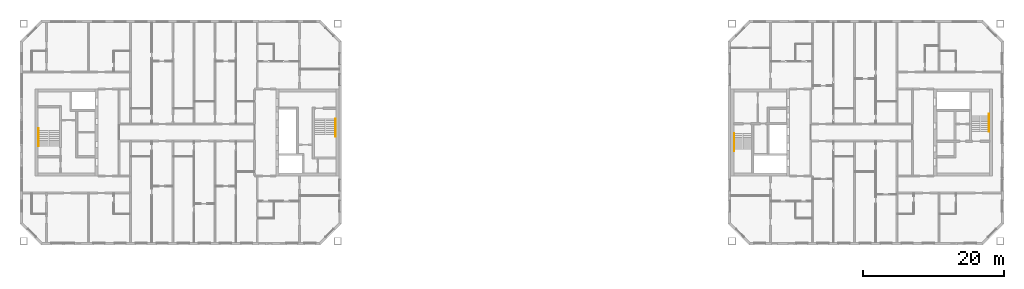
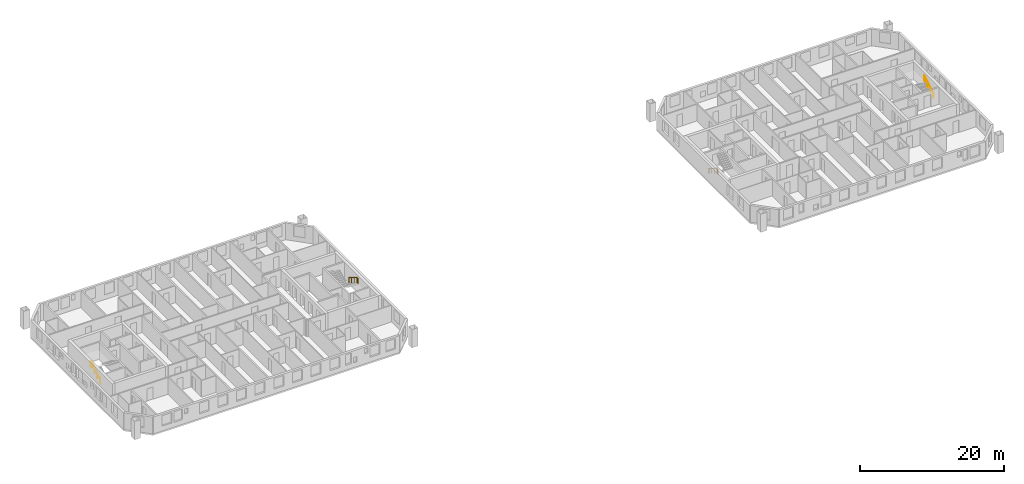
# One storey, part 16 of 16: 4 railings.
"""IFC4 building model written with IfcOpenShell, lengths in metres."""

from ifc_helpers import new_model, si_unit, direction, frame, origin, origin_2d, place, context, subcontext, project, spatial, circle, extrude, material, type_object, element, save


model = new_model("IFC4")

# Units and contexts
model_context = context("Model", 3, precision=1e-05, world=origin(), true_north=direction((0.0, 1.0)))
body_context = subcontext(model_context, "Body", "Model", "MODEL_VIEW")
ifc_project = project(units=[si_unit("LENGTHUNIT", "METRE"), si_unit("AREAUNIT", "SQUARE_METRE"), si_unit("VOLUMEUNIT", "CUBIC_METRE"), si_unit("PLANEANGLEUNIT", "RADIAN"), si_unit("MASSUNIT", "GRAM", prefix="KILO")], contexts=[model_context])

# Site, building, storey
site_placement = place(None, origin())
site = spatial("IfcSite", under=ifc_project, at=site_placement, CompositionType="ELEMENT")
building_placement = place(site_placement, origin())
building = spatial("IfcBuilding", under=site, at=building_placement, Name="Tuart Gate Housing", CompositionType="ELEMENT")
storey_placement = place(building_placement, frame((0.0, 0.0, 178.89990234375)))
storey = spatial("IfcBuildingStorey", under=building, at=storey_placement, Name="L50", CompositionType="ELEMENT", Elevation=178.89990234375)

# Railings
ifc_material = material(Name="Stainless steel", Category="steel")
railing_type = type_object("IfcRailingType", Name="Stair handrail 900", PredefinedType="HANDRAIL", material=ifc_material)
railing_1_placement = place(storey_placement, frame((75.1298828125, 71.949951171875, 0.17236328125)))
element("IfcRailing", 1, at=railing_1_placement, inside=storey, type_object=railing_type, Name="Stair handrail SA1.1", PredefinedType="HANDRAIL", context=body_context, shape_type="SweptSolid", body=[
    extrude(circle(Radius=0.02392578125, at=origin_2d()), frame((0.0, 0.0, 0.8759765625), z_axis=(0.0, -0.85178898068, 0.523885037382), x_axis=(1.0, 0.0, 0.0)), (0.0, 0.0, 1.0), 2.629638671875),
    extrude(circle(Radius=0.02392578125, at=origin_2d()), frame((0.0, -2.239990234375, 2.25341796875), z_axis=(0.0, -1.0, 0.0), x_axis=(1.0, 0.0, 0.0)), (0.0, 0.0, 1.0), 0.300048828125),
    extrude(circle(Radius=0.02099609375, at=origin_2d()), origin(), (0.0, 0.0, 1.0), 0.851806640625),
    extrude(circle(Radius=0.02099609375, at=origin_2d()), frame((0.0, -0.74658203125, 0.459228515625)), (0.0, 0.0, 1.0), 0.851806640625),
    extrude(circle(Radius=0.02099609375, at=origin_2d()), frame((0.0, -1.493408203125, 0.91845703125)), (0.0, 0.0, 1.0), 0.851806640625),
    extrude(circle(Radius=0.02099609375, at=origin_2d()), frame((0.0, -2.239990234375, 1.377685546875)), (0.0, 0.0, 1.0), 0.851806640625),
    extrude(circle(Radius=0.02099609375, at=origin_2d()), frame((0.0, -2.5400390625, 1.377685546875)), (0.0, 0.0, 1.0), 0.851806640625),
])
railing_2_placement = place(storey_placement, frame((32.8701171875, 68.050048828125, 0.17236328125)))
element("IfcRailing", 2, at=railing_2_placement, inside=storey, type_object=railing_type, Name="Stair handrail SA2.1", PredefinedType="HANDRAIL", context=body_context, shape_type="SweptSolid", body=[
    extrude(circle(Radius=0.02392578125, at=origin_2d()), frame((0.0, 0.0, 0.8759765625), z_axis=(0.0, 0.85178898068, 0.523885037382), x_axis=(-1.0, 0.0, 0.0)), (0.0, 0.0, 1.0), 2.629638671875),
    extrude(circle(Radius=0.02392578125, at=origin_2d()), frame((0.0, 2.239990234375, 2.25341796875), z_axis=(0.0, 1.0, 0.0), x_axis=(-1.0, 0.0, 0.0)), (0.0, 0.0, 1.0), 0.300048828125),
    extrude(circle(Radius=0.02099609375, at=origin_2d()), origin(), (0.0, 0.0, 1.0), 0.851806640625),
    extrude(circle(Radius=0.02099609375, at=origin_2d()), frame((0.0, 0.74658203125, 0.459228515625)), (0.0, 0.0, 1.0), 0.851806640625),
    extrude(circle(Radius=0.02099609375, at=origin_2d()), frame((0.0, 1.493408203125, 0.91845703125)), (0.0, 0.0, 1.0), 0.851806640625),
    extrude(circle(Radius=0.02099609375, at=origin_2d()), frame((0.0, 2.239990234375, 1.377685546875)), (0.0, 0.0, 1.0), 0.851806640625),
    extrude(circle(Radius=0.02099609375, at=origin_2d()), frame((0.0, 2.5400390625, 1.377685546875)), (0.0, 0.0, 1.0), 0.851806640625),
])
railing_3_placement = place(storey_placement, frame((131.8701171875, 69.875, 0.17236328125)))
element("IfcRailing", 3, at=railing_3_placement, inside=storey, type_object=railing_type, Name="Stair handrail SB1.1", PredefinedType="HANDRAIL", context=body_context, shape_type="SweptSolid", body=[
    extrude(circle(Radius=0.02392578125, at=origin_2d()), frame((0.0, 0.0, 0.8759765625), z_axis=(0.0, -0.85178898068, 0.523885037382), x_axis=(1.0, 0.0, 0.0)), (0.0, 0.0, 1.0), 2.629638671875),
    extrude(circle(Radius=0.02392578125, at=origin_2d()), frame((0.0, -2.239990234375, 2.25341796875), z_axis=(0.0, -1.0, 0.0), x_axis=(1.0, 0.0, 0.0)), (0.0, 0.0, 1.0), 0.300048828125),
    extrude(circle(Radius=0.02099609375, at=origin_2d()), origin(), (0.0, 0.0, 1.0), 0.851806640625),
    extrude(circle(Radius=0.02099609375, at=origin_2d()), frame((0.0, -0.74658203125, 0.459228515625)), (0.0, 0.0, 1.0), 0.851806640625),
    extrude(circle(Radius=0.02099609375, at=origin_2d()), frame((0.0, -1.493408203125, 0.91845703125)), (0.0, 0.0, 1.0), 0.851806640625),
    extrude(circle(Radius=0.02099609375, at=origin_2d()), frame((0.0, -2.239990234375, 1.377685546875)), (0.0, 0.0, 1.0), 0.851806640625),
    extrude(circle(Radius=0.02099609375, at=origin_2d()), frame((0.0, -2.5400390625, 1.377685546875)), (0.0, 0.0, 1.0), 0.851806640625),
])
railing_4_placement = place(storey_placement, frame((168.1298828125, 70.125, 0.17236328125)))
element("IfcRailing", 4, at=railing_4_placement, inside=storey, type_object=railing_type, Name="Stair handrail SB2.1", PredefinedType="HANDRAIL", context=body_context, shape_type="SweptSolid", body=[
    extrude(circle(Radius=0.02392578125, at=origin_2d()), frame((0.0, 0.0, 0.8759765625), z_axis=(0.0, 0.85178898068, 0.523885037382), x_axis=(-1.0, 0.0, 0.0)), (0.0, 0.0, 1.0), 2.629638671875),
    extrude(circle(Radius=0.02392578125, at=origin_2d()), frame((0.0, 2.239990234375, 2.25341796875), z_axis=(0.0, 1.0, 0.0), x_axis=(-1.0, 0.0, 0.0)), (0.0, 0.0, 1.0), 0.300048828125),
    extrude(circle(Radius=0.02099609375, at=origin_2d()), origin(), (0.0, 0.0, 1.0), 0.851806640625),
    extrude(circle(Radius=0.02099609375, at=origin_2d()), frame((0.0, 0.74658203125, 0.459228515625)), (0.0, 0.0, 1.0), 0.851806640625),
    extrude(circle(Radius=0.02099609375, at=origin_2d()), frame((0.0, 1.493408203125, 0.91845703125)), (0.0, 0.0, 1.0), 0.851806640625),
    extrude(circle(Radius=0.02099609375, at=origin_2d()), frame((0.0, 2.239990234375, 1.377685546875)), (0.0, 0.0, 1.0), 0.851806640625),
    extrude(circle(Radius=0.02099609375, at=origin_2d()), frame((0.0, 2.5400390625, 1.377685546875)), (0.0, 0.0, 1.0), 0.851806640625),
])

save(model, "model.ifc")
